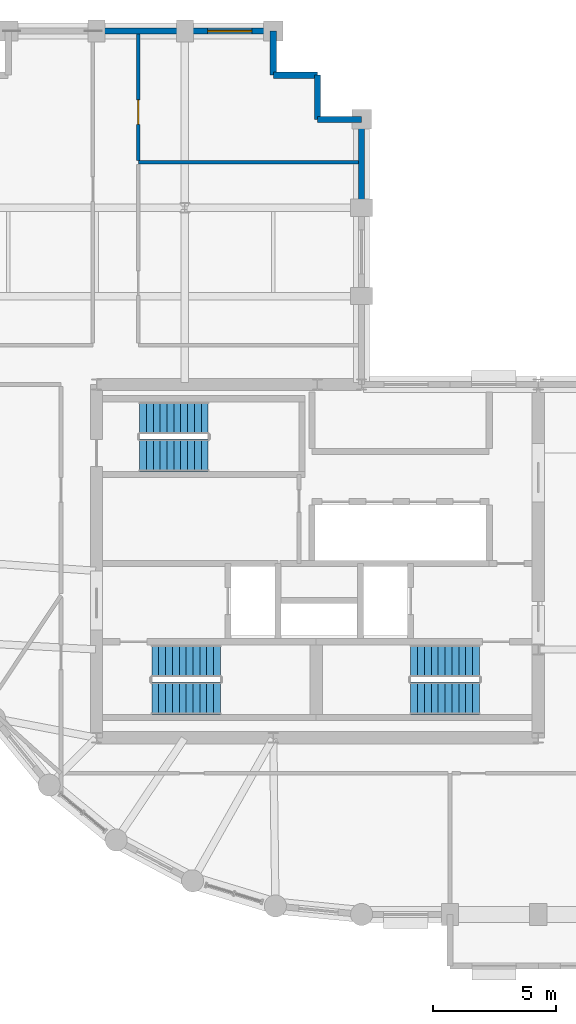
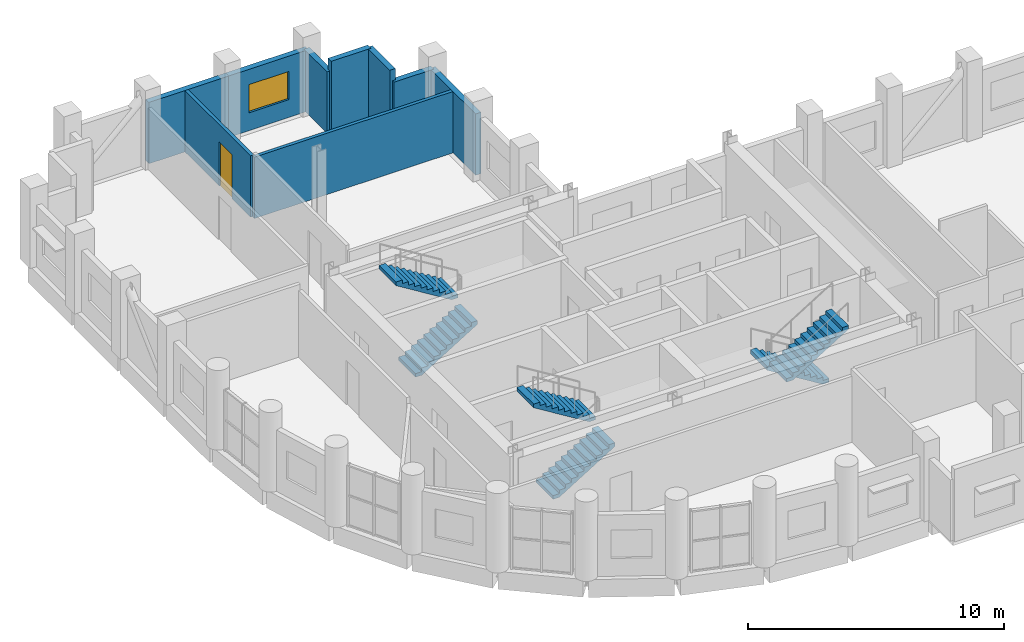
# One storey, part 9 of 11: 9 walls, 6 stair flights, 1 door, 1 window, 2 openings, 3 elements without a shape of their own.
"""IFC4 building model written with IfcOpenShell, lengths in metres."""

from ifc_helpers import new_model, si_unit, direction, frame, frame_2d, origin, place, context, subcontext, project, spatial, polyline, rectangle, outline, extrude, material, layer, layer_set, type_object, element, fill, aggregate, save


model = new_model("IFC4")

# Units and contexts
model_context = context("Model", 3, precision=1e-05, world=origin(), true_north=direction((0.0, 1.0)))
body_context = subcontext(model_context, "Body", "Model", "MODEL_VIEW")
ifc_project = project(units=[si_unit("LENGTHUNIT", "METRE"), si_unit("AREAUNIT", "SQUARE_METRE"), si_unit("VOLUMEUNIT", "CUBIC_METRE"), si_unit("PLANEANGLEUNIT", "RADIAN"), si_unit("MASSUNIT", "GRAM", prefix="KILO")], contexts=[model_context])

# Site, building, storey
site_placement = place(None, origin())
site = spatial("IfcSite", under=ifc_project, at=site_placement, CompositionType="ELEMENT")
building_placement = place(site_placement, origin())
building = spatial("IfcBuilding", under=site, at=building_placement, Name="Solnavia Interchange Tower", CompositionType="ELEMENT")
storey_placement = place(building_placement, frame((0.0, 0.0, 205.199951171875)))
storey = spatial("IfcBuildingStorey", under=building, at=storey_placement, Name="L51", CompositionType="ELEMENT", Elevation=205.199951171875)

# Walls
ifc_material_1 = material(Name="Concrete C40/50", Category="concrete")
ifc_layer_1 = layer(ifc_material_1, 0.25)
ifc_layer_set_1 = layer_set([ifc_layer_1], Name="Concrete C40/50")
wall_type_1 = type_object("IfcWallType", Name="Wall-ExtSpandrel-250", PredefinedType="STANDARD", material=ifc_layer_set_1)
wall_1_placement = place(storey_placement, frame((25.199951171875, 32.39990234375, 0.0), z_axis=(0.0, 0.0, 1.0), x_axis=(0.0, 1.0, 0.0)))
element("IfcWall", 1, at=wall_1_placement, inside=storey, type_object=wall_type_1, Name="EXW-L51-29 Exterior precast spandrel wall", PredefinedType="STANDARD", context=body_context, shape_type="SweptSolid", body=[
    extrude(rectangle(XDim=3.60009765625, YDim=0.25, at=frame_2d((1.800048828125, 0.0))), origin(), (0.0, 0.0, 1.0), 2.929931640625),
])
wall_2_placement = place(storey_placement, frame((23.39990234375, 36.0, 0.0), z_axis=(0.0, 0.0, 1.0), x_axis=(1.0, 0.0, 0.0)))
element("IfcWall", 2, at=wall_2_placement, inside=storey, type_object=wall_type_1, Name="EXW-L51-30 Exterior precast spandrel wall", PredefinedType="STANDARD", context=body_context, shape_type="SweptSolid", body=[
    extrude(rectangle(XDim=1.800048828125, YDim=0.25, at=frame_2d((0.89990234375, 0.0))), origin(), (0.0, 0.0, 1.0), 2.929931640625),
])
wall_3_placement = place(storey_placement, frame((23.39990234375, 36.0, 0.0), z_axis=(0.0, 0.0, 1.0), x_axis=(0.0, 1.0, 0.0)))
element("IfcWall", 3, at=wall_3_placement, inside=storey, type_object=wall_type_1, Name="EXW-L51-31 Exterior precast spandrel wall", PredefinedType="STANDARD", context=body_context, shape_type="SweptSolid", body=[
    extrude(rectangle(XDim=1.800048828125, YDim=0.25, at=frame_2d((0.89990234375, 0.0))), origin(), (0.0, 0.0, 1.0), 3.465087890625),
])
wall_4_placement = place(storey_placement, frame((21.60009765625, 37.800048828125, 0.0), z_axis=(0.0, 0.0, 1.0), x_axis=(1.0, 0.0, 0.0)))
element("IfcWall", 4, at=wall_4_placement, inside=storey, type_object=wall_type_1, Name="EXW-L51-32 Exterior precast spandrel wall", PredefinedType="STANDARD", context=body_context, shape_type="SweptSolid", body=[
    extrude(rectangle(XDim=1.7998046875, YDim=0.25, at=frame_2d((0.89990234375, 0.0))), origin(), (0.0, 0.0, 1.0), 3.465087890625),
])
wall_5_placement = place(storey_placement, frame((21.60009765625, 37.800048828125, 0.0), z_axis=(0.0, 0.0, 1.0), x_axis=(0.0, 1.0, 0.0)))
element("IfcWall", 5, at=wall_5_placement, inside=storey, type_object=wall_type_1, Name="EXW-L51-33 Exterior precast spandrel wall", PredefinedType="STANDARD", context=body_context, shape_type="SweptSolid", body=[
    extrude(rectangle(XDim=1.800048828125, YDim=0.25, at=frame_2d((0.89990234375, 0.0))), origin(), (0.0, 0.0, 1.0), 2.929931640625),
])

# Wall, opening, window
wall_6_placement = place(storey_placement, frame((18.0, 39.60009765625, 0.0), z_axis=(0.0, 0.0, 1.0), x_axis=(1.0, 0.0, 0.0)))
wall_6 = element("IfcWall", 6, at=wall_6_placement, inside=storey, type_object=wall_type_1, Name="EXW-L51-34 Exterior precast spandrel wall", PredefinedType="STANDARD", context=body_context, shape_type="SweptSolid", body=[
    extrude(rectangle(XDim=3.60009765625, YDim=0.25, at=frame_2d((1.800048828125, 0.0))), origin(), (0.0, 0.0, 1.0), 2.929931640625),
])
opening_1_placement = place(wall_6_placement, frame((0.925048828125, 0.0, 0.85009765625)))
opening_1 = element("IfcOpeningElement", 7, at=opening_1_placement, cuts=wall_6, Name="Opening WIN-02", PredefinedType="OPENING", context=body_context, shape_type="SweptSolid", body=[
    extrude(rectangle(XDim=1.800048828125, YDim=1.35009765625, at=frame_2d((0.89990234375, 0.675048828125))), frame((0.0, 0.135009765625, 0.0), z_axis=(0.0, -1.0, 0.0), x_axis=(1.0, 0.0, 0.0)), (0.0, 0.0, 1.0), 0.27001953125),
])
ifc_material_2 = material(Name="Thermal-Break Aluminium & Low-E Glass", Category="aluminium")
window_type = type_object("IfcWindowType", Name="Window-Ribbon-1800x1350", PartitioningType="SINGLE_PANEL", PredefinedType="WINDOW", material=ifc_material_2)
window_placement = place(opening_1_placement, origin())
window = element("IfcWindow", 8, at=window_placement, inside=storey, type_object=window_type, Name="WIN-L51-34 Facade ribbon window", OverallHeight=1.35009765625, OverallWidth=1.800048828125, PartitioningType="SINGLE_PANEL", PredefinedType="WINDOW", context=body_context, shape_type="SweptSolid", body=[
    extrude(rectangle(XDim=1.800048828125, YDim=1.35009765625, at=frame_2d((0.89990234375, 0.675048828125))), frame((0.0, 0.030029296875, 0.0), z_axis=(0.0, -1.0, 0.0), x_axis=(1.0, 0.0, 0.0)), (0.0, 0.0, 1.0), 0.06005859375),
])
fill(opening_1, window)

# Walls
wall_7_placement = place(storey_placement, frame((14.39990234375, 39.60009765625, 0.0), z_axis=(0.0, 0.0, 1.0), x_axis=(1.0, 0.0, 0.0)))
element("IfcWall", 9, at=wall_7_placement, inside=storey, type_object=wall_type_1, Name="EXW-L51-35 Exterior precast spandrel wall", PredefinedType="STANDARD", context=body_context, shape_type="SweptSolid", body=[
    extrude(rectangle(XDim=3.60009765625, YDim=0.25, at=frame_2d((1.800048828125, 0.0))), origin(), (0.0, 0.0, 1.0), 2.929931640625),
])
ifc_material_3 = material(Name="Gypsum Plasterboard & Steel Stud", Category="steel")
ifc_layer_2 = layer(ifc_material_3, 0.14990234375)
ifc_layer_set_2 = layer_set([ifc_layer_2], Name="Gypsum Plasterboard & Steel Stud")
wall_type_2 = type_object("IfcWallType", Name="Wall-Partition-150", PredefinedType="PARTITIONING", material=ifc_layer_set_2)
wall_8_placement = place(storey_placement, frame((16.10009765625, 34.25, 0.0), z_axis=(0.0, 0.0, 1.0), x_axis=(1.0, 0.0, 0.0)))
element("IfcWall", 10, at=wall_8_placement, inside=storey, type_object=wall_type_2, Name="PTW-L51-25 Interior partition wall", PredefinedType="PARTITIONING", context=body_context, shape_type="SweptSolid", body=[
    extrude(rectangle(XDim=8.970947265625, YDim=0.14990234375, at=frame_2d((4.4853515625, 0.0))), origin(), (0.0, 0.0, 1.0), 2.929931640625),
])

# Wall, opening, door
wall_9_placement = place(storey_placement, frame((16.10009765625, 34.3291015625, 0.0), z_axis=(0.0, 0.0, 1.0), x_axis=(0.0, 1.0, 0.0)))
wall_9 = element("IfcWall", 11, at=wall_9_placement, inside=storey, type_object=wall_type_2, Name="PTW-L51-27 Interior partition wall", PredefinedType="PARTITIONING", context=body_context, shape_type="SweptSolid", body=[
    extrude(rectangle(XDim=5.141845703125, YDim=0.14990234375, at=frame_2d((2.57080078125, 0.0))), origin(), (0.0, 0.0, 1.0), 2.929931640625),
])
opening_2_placement = place(wall_9_placement, frame((1.465087890625, 0.0, 0.0)))
opening_2 = element("IfcOpeningElement", 12, at=opening_2_placement, cuts=wall_9, Name="Opening DR-07", PredefinedType="OPENING", context=body_context, shape_type="SweptSolid", body=[
    extrude(rectangle(XDim=1.0, YDim=2.10009765625, at=frame_2d((0.5, 1.050048828125))), frame((0.0, 0.0849609375, 0.0), z_axis=(0.0, -1.0, 0.0), x_axis=(1.0, 0.0, 0.0)), (0.0, 0.0, 1.0), 0.169921875),
])
ifc_material_4 = material(Name="Timber & Acoustic Glazed Office Door", Category="wood")
door_type = type_object("IfcDoorType", Name="Door-Office-1000x2100", OperationType="SINGLE_SWING_RIGHT", PredefinedType="DOOR", material=ifc_material_4)
door_placement = place(opening_2_placement, origin())
door = element("IfcDoor", 13, at=door_placement, inside=storey, type_object=door_type, Name="DR-L51-13 Interior room door", OperationType="SINGLE_SWING_LEFT", OverallHeight=2.10009765625, OverallWidth=1.0, PredefinedType="DOOR", context=body_context, shape_type="SweptSolid", body=[
    extrude(rectangle(XDim=1.0, YDim=2.10009765625, at=frame_2d((0.5, 1.050048828125))), frame((0.0, 0.02490234375, 0.0), z_axis=(0.0, -1.0, 0.0), x_axis=(1.0, 0.0, 0.0)), (0.0, 0.0, 1.0), 0.050048828125),
])
fill(opening_2, door)

# Stair, stair flights
stair_type = type_object("IfcStairType", Name="Stair-Dogleg-RC", PredefinedType="HALF_TURN_STAIR", material=ifc_material_1)
stair_1_placement = place(storey_placement, origin())
stair_1 = element("IfcStair", 14, at=stair_1_placement, inside=storey, type_object=stair_type, Name="L51 Core exit stair 1", PredefinedType="HALF_TURN_STAIR")
stair_flight_type = type_object("IfcStairFlightType", Name="StairFlight-RC-150", PredefinedType="STRAIGHT", material=ifc_material_1)
stair_flight_1_placement = place(storey_placement, frame((16.64990234375, 12.409912109375, 0.0), z_axis=(0.0, 0.0, 1.0), x_axis=(1.0, 0.0, 0.0)))
stair_flight_1 = element("IfcStairFlight", 15, at=stair_flight_1_placement, type_object=stair_flight_type, Name="ST-1 flight 1", NumberOfRisers=11, NumberOfTreads=10, PredefinedType="STRAIGHT", RiserHeight=0.172727273, TreadLength=0.28, context=body_context, shape_type="SweptSolid", body=[
    extrude(outline(polyline([(0.0, 0.0), (0.0, 0.172607421875), (0.280029296875, 0.172607421875), (0.280029296875, 0.345458984375), (0.56005859375, 0.345458984375), (0.56005859375, 0.51806640625), (0.840087890625, 0.51806640625), (0.840087890625, 0.69091796875), (1.1201171875, 0.69091796875), (1.1201171875, 0.863525390625), (1.39990234375, 0.863525390625), (1.39990234375, 1.036376953125), (1.679931640625, 1.036376953125), (1.679931640625, 1.208984375), (1.9599609375, 1.208984375), (1.9599609375, 1.3818359375), (2.239990234375, 1.3818359375), (2.239990234375, 1.554443359375), (2.52001953125, 1.554443359375), (2.52001953125, 1.727294921875), (2.800048828125, 1.727294921875), (2.800048828125, 1.89990234375), (2.800048828125, 1.551025390625), (0.285400390625, 0.0), (0.0, 0.0)])), frame((0.0, 0.66015625, 0.0), z_axis=(0.0, -1.0, 0.0), x_axis=(1.0, 0.0, 0.0)), (0.0, 0.0, 1.0), 1.320068359375),
])
stair_flight_2_placement = place(storey_placement, frame((19.449951171875, 13.929931640625, 1.900146484375), z_axis=(0.0, 0.0, 1.0), x_axis=(-1.0, 0.0, 0.0)))
stair_flight_2 = element("IfcStairFlight", 16, at=stair_flight_2_placement, type_object=stair_flight_type, Name="ST-1 flight 2", NumberOfRisers=11, NumberOfTreads=10, PredefinedType="STRAIGHT", RiserHeight=0.172727273, TreadLength=0.28, context=body_context, shape_type="SweptSolid", body=[
    extrude(outline(polyline([(0.0, 0.0), (0.0, 0.172607421875), (0.280029296875, 0.172607421875), (0.280029296875, 0.345458984375), (0.56005859375, 0.345458984375), (0.56005859375, 0.51806640625), (0.840087890625, 0.51806640625), (0.840087890625, 0.69091796875), (1.1201171875, 0.69091796875), (1.1201171875, 0.863525390625), (1.39990234375, 0.863525390625), (1.39990234375, 1.036376953125), (1.679931640625, 1.036376953125), (1.679931640625, 1.208984375), (1.9599609375, 1.208984375), (1.9599609375, 1.3818359375), (2.239990234375, 1.3818359375), (2.239990234375, 1.554443359375), (2.52001953125, 1.554443359375), (2.52001953125, 1.727294921875), (2.800048828125, 1.727294921875), (2.800048828125, 1.89990234375), (2.800048828125, 1.551025390625), (0.285400390625, 0.0), (0.0, 0.0)])), frame((0.0, 0.66015625, 0.0), z_axis=(0.0, -1.0, 0.0), x_axis=(1.0, 0.0, 0.0)), (0.0, 0.0, 1.0), 1.320068359375),
])
aggregate(stair_1, [stair_flight_1, stair_flight_2])

stair_2_placement = place(storey_placement, origin())
stair_2 = element("IfcStair", 17, at=stair_2_placement, inside=storey, type_object=stair_type, Name="L51 Core exit stair 2", PredefinedType="HALF_TURN_STAIR")
stair_flight_3_placement = place(storey_placement, frame((30.0, 13.929931640625, 0.0), z_axis=(0.0, 0.0, 1.0), x_axis=(-1.0, 0.0, 0.0)))
stair_flight_3 = element("IfcStairFlight", 18, at=stair_flight_3_placement, type_object=stair_flight_type, Name="ST-2 flight 1", NumberOfRisers=11, NumberOfTreads=10, PredefinedType="STRAIGHT", RiserHeight=0.172727273, TreadLength=0.28, context=body_context, shape_type="SweptSolid", body=[
    extrude(outline(polyline([(0.0, 0.0), (0.0, 0.172607421875), (0.280029296875, 0.172607421875), (0.280029296875, 0.345458984375), (0.56005859375, 0.345458984375), (0.56005859375, 0.51806640625), (0.840087890625, 0.51806640625), (0.840087890625, 0.69091796875), (1.1201171875, 0.69091796875), (1.1201171875, 0.863525390625), (1.39990234375, 0.863525390625), (1.39990234375, 1.036376953125), (1.679931640625, 1.036376953125), (1.679931640625, 1.208984375), (1.9599609375, 1.208984375), (1.9599609375, 1.3818359375), (2.239990234375, 1.3818359375), (2.239990234375, 1.554443359375), (2.52001953125, 1.554443359375), (2.52001953125, 1.727294921875), (2.800048828125, 1.727294921875), (2.800048828125, 1.89990234375), (2.800048828125, 1.551025390625), (0.285400390625, 0.0), (0.0, 0.0)])), frame((0.0, 0.66015625, 0.0), z_axis=(0.0, -1.0, 0.0), x_axis=(1.0, 0.0, 0.0)), (0.0, 0.0, 1.0), 1.320068359375),
])
stair_flight_4_placement = place(storey_placement, frame((27.199951171875, 12.409912109375, 1.900146484375), z_axis=(0.0, 0.0, 1.0), x_axis=(1.0, 0.0, 0.0)))
stair_flight_4 = element("IfcStairFlight", 19, at=stair_flight_4_placement, type_object=stair_flight_type, Name="ST-2 flight 2", NumberOfRisers=11, NumberOfTreads=10, PredefinedType="STRAIGHT", RiserHeight=0.172727273, TreadLength=0.28, context=body_context, shape_type="SweptSolid", body=[
    extrude(outline(polyline([(0.0, 0.0), (0.0, 0.172607421875), (0.280029296875, 0.172607421875), (0.280029296875, 0.345458984375), (0.56005859375, 0.345458984375), (0.56005859375, 0.51806640625), (0.840087890625, 0.51806640625), (0.840087890625, 0.69091796875), (1.1201171875, 0.69091796875), (1.1201171875, 0.863525390625), (1.39990234375, 0.863525390625), (1.39990234375, 1.036376953125), (1.679931640625, 1.036376953125), (1.679931640625, 1.208984375), (1.9599609375, 1.208984375), (1.9599609375, 1.3818359375), (2.239990234375, 1.3818359375), (2.239990234375, 1.554443359375), (2.52001953125, 1.554443359375), (2.52001953125, 1.727294921875), (2.800048828125, 1.727294921875), (2.800048828125, 1.89990234375), (2.800048828125, 1.551025390625), (0.285400390625, 0.0), (0.0, 0.0)])), frame((0.0, 0.66015625, 0.0), z_axis=(0.0, -1.0, 0.0), x_axis=(1.0, 0.0, 0.0)), (0.0, 0.0, 1.0), 1.320068359375),
])
aggregate(stair_2, [stair_flight_3, stair_flight_4])

stair_3_placement = place(storey_placement, origin())
stair_3 = element("IfcStair", 20, at=stair_3_placement, inside=storey, type_object=stair_type, Name="L51 Core exit stair 3", PredefinedType="HALF_TURN_STAIR")
stair_flight_5_placement = place(storey_placement, frame((16.14990234375, 22.31005859375, 0.0), z_axis=(0.0, 0.0, 1.0), x_axis=(1.0, 0.0, 0.0)))
stair_flight_5 = element("IfcStairFlight", 21, at=stair_flight_5_placement, type_object=stair_flight_type, Name="ST-3 flight 1", NumberOfRisers=11, NumberOfTreads=10, PredefinedType="STRAIGHT", RiserHeight=0.172727273, TreadLength=0.28, context=body_context, shape_type="SweptSolid", body=[
    extrude(outline(polyline([(0.0, 0.0), (0.0, 0.172607421875), (0.280029296875, 0.172607421875), (0.280029296875, 0.345458984375), (0.56005859375, 0.345458984375), (0.56005859375, 0.51806640625), (0.840087890625, 0.51806640625), (0.840087890625, 0.69091796875), (1.1201171875, 0.69091796875), (1.1201171875, 0.863525390625), (1.39990234375, 0.863525390625), (1.39990234375, 1.036376953125), (1.679931640625, 1.036376953125), (1.679931640625, 1.208984375), (1.9599609375, 1.208984375), (1.9599609375, 1.3818359375), (2.239990234375, 1.3818359375), (2.239990234375, 1.554443359375), (2.52001953125, 1.554443359375), (2.52001953125, 1.727294921875), (2.800048828125, 1.727294921875), (2.800048828125, 1.89990234375), (2.800048828125, 1.551025390625), (0.285400390625, 0.0), (0.0, 0.0)])), frame((0.0, 0.66015625, 0.0), z_axis=(0.0, -1.0, 0.0), x_axis=(1.0, 0.0, 0.0)), (0.0, 0.0, 1.0), 1.320068359375),
])
stair_flight_6_placement = place(storey_placement, frame((18.949951171875, 23.830078125, 1.900146484375), z_axis=(0.0, 0.0, 1.0), x_axis=(-1.0, 0.0, 0.0)))
stair_flight_6 = element("IfcStairFlight", 22, at=stair_flight_6_placement, type_object=stair_flight_type, Name="ST-3 flight 2", NumberOfRisers=11, NumberOfTreads=10, PredefinedType="STRAIGHT", RiserHeight=0.172727273, TreadLength=0.28, context=body_context, shape_type="SweptSolid", body=[
    extrude(outline(polyline([(0.0, 0.0), (0.0, 0.172607421875), (0.280029296875, 0.172607421875), (0.280029296875, 0.345458984375), (0.56005859375, 0.345458984375), (0.56005859375, 0.51806640625), (0.840087890625, 0.51806640625), (0.840087890625, 0.69091796875), (1.1201171875, 0.69091796875), (1.1201171875, 0.863525390625), (1.39990234375, 0.863525390625), (1.39990234375, 1.036376953125), (1.679931640625, 1.036376953125), (1.679931640625, 1.208984375), (1.9599609375, 1.208984375), (1.9599609375, 1.3818359375), (2.239990234375, 1.3818359375), (2.239990234375, 1.554443359375), (2.52001953125, 1.554443359375), (2.52001953125, 1.727294921875), (2.800048828125, 1.727294921875), (2.800048828125, 1.89990234375), (2.800048828125, 1.551025390625), (0.285400390625, 0.0), (0.0, 0.0)])), frame((0.0, 0.66015625, 0.0), z_axis=(0.0, -1.0, 0.0), x_axis=(1.0, 0.0, 0.0)), (0.0, 0.0, 1.0), 1.320068359375),
])
aggregate(stair_3, [stair_flight_5, stair_flight_6])

save(model, "model.ifc")
